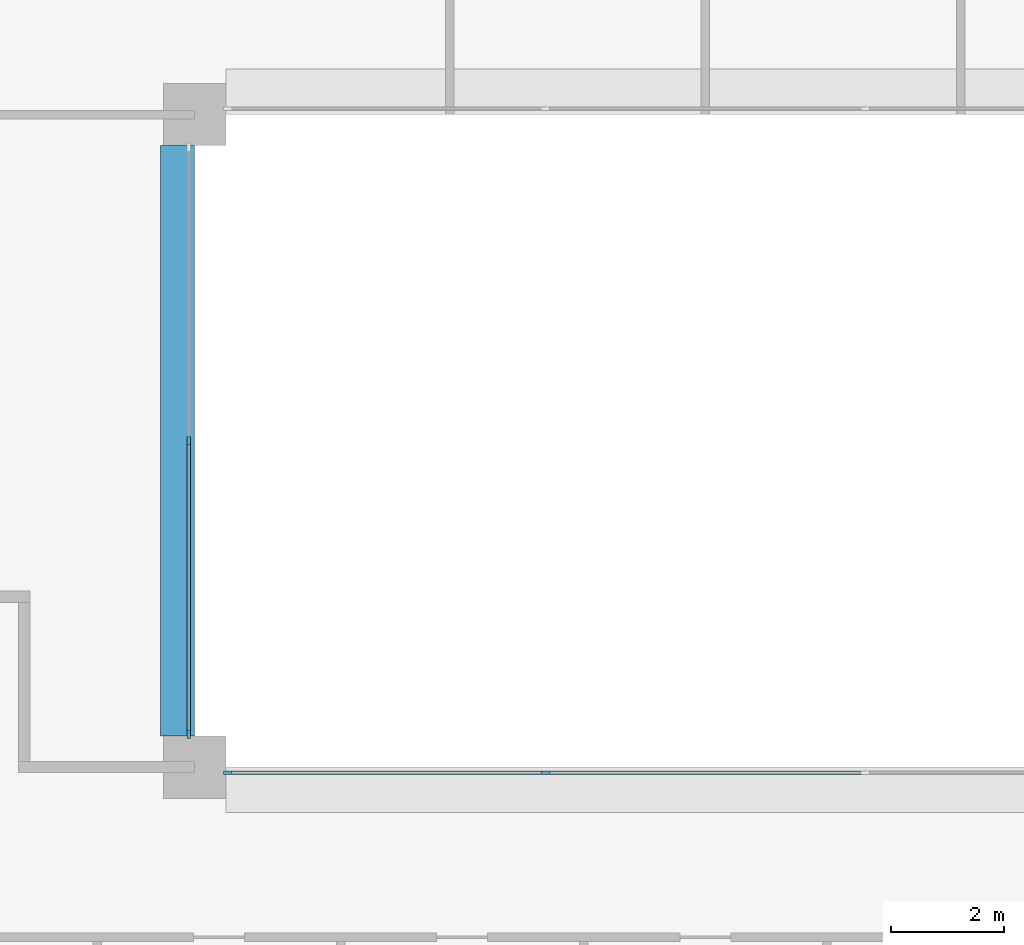
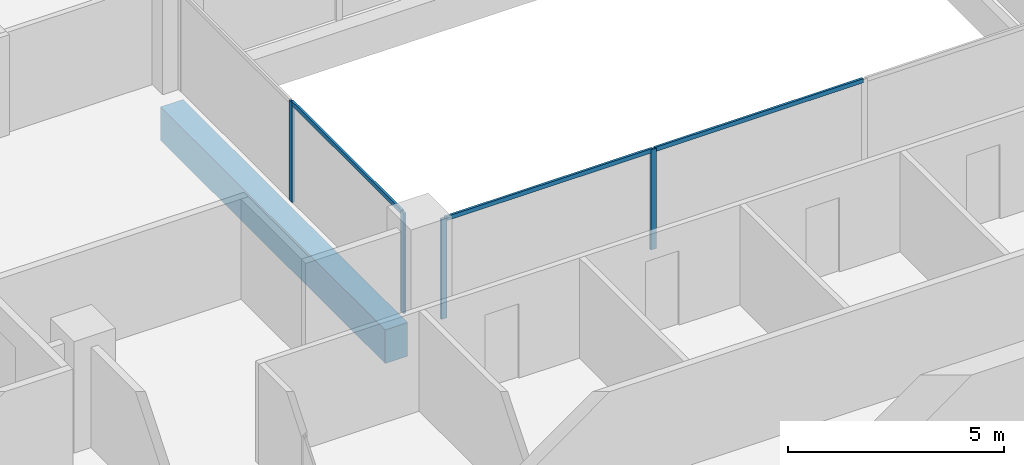
# One storey, part 2 of 15: 7 members, 1 beam, 2 elements without a shape of their own.
"""IFC4 building model written with IfcOpenShell, lengths in metres."""

import ifcopenshell
import ifcopenshell.guid

model = None  # the IFC model being written
_history = None  # IfcOwnerHistory: only IFC2X3 demands one
_inside = {}  # id of a spatial element -> (the spatial element, [elements in it])
_under = {}  # id of a project, library or spatial element -> (it, [spatial elements below it])
_declared = {}  # id of a project -> (the project, [libraries it declares])
_typed = {}  # id of a type object -> (the type object, [elements of that type])
_made_of = {}  # id of a material, layer set ... -> (it, [elements and type objects made of it])


def new_model(schema):
    """Start an empty IFC model of exactly this schema.

    Asked for "IFC4X3", IfcOpenShell would pick the latest addendum, in which some entities
    have other attributes; the version numbers below select the first issue.
    IFC2X3 requires an IfcOwnerHistory on every rooted entity: one is made here for all.
    """
    global model, _history
    if schema == "IFC4X3":
        model = ifcopenshell.file(schema_version=(4, 3, 0, 0))
    else:
        model = ifcopenshell.file(schema=schema)
    _inside.clear()
    _under.clear()
    _declared.clear()
    _typed.clear()
    _made_of.clear()
    _history = None
    if model.schema == "IFC2X3":
        org = make("IfcOrganization", Name="unknown")
        user = make(
            "IfcPersonAndOrganization",
            ThePerson=make("IfcPerson", FamilyName="unknown"),
            TheOrganization=org,
        )
        app = make(
            "IfcApplication",
            ApplicationDeveloper=org,
            Version="unknown",
            ApplicationFullName="unknown",
            ApplicationIdentifier="unknown",
        )
        _history = make(
            "IfcOwnerHistory",
            OwningUser=user,
            OwningApplication=app,
            ChangeAction="ADDED",
            CreationDate=0,
        )
    return model


def make(cls, **values):
    """One entity of the class cls with the attributes given. An attribute that is None is left unset."""
    return model.create_entity(
        cls, **{name: value for name, value in values.items() if value is not None}
    )


def rooted(cls, **values):
    """An entity with a GlobalId (a new one), such as an element, a storey or a relation."""
    return make(cls, GlobalId=ifcopenshell.guid.new(), OwnerHistory=_history, **values)


def si_unit(unit_type, name, prefix=None):
    """IfcSIUnit, for example si_unit("LENGTHUNIT", "METRE", prefix="MILLI")."""
    return make("IfcSIUnit", UnitType=unit_type, Prefix=prefix, Name=name)


def assignment(units):
    """IfcUnitAssignment: the units of a project."""
    return None if units is None else make("IfcUnitAssignment", Units=units)


def point(xyz):
    """IfcCartesianPoint."""
    return None if xyz is None else make("IfcCartesianPoint", Coordinates=xyz)


def direction(xyz):
    """IfcDirection."""
    return None if xyz is None else make("IfcDirection", DirectionRatios=xyz)


def frame(location, z_axis=None, x_axis=None):
    """IfcAxis2Placement3D, a coordinate frame: its origin and axes. An axis left out is left unset."""
    return make(
        "IfcAxis2Placement3D",
        Location=point(location),
        Axis=direction(z_axis),
        RefDirection=direction(x_axis),
    )


def frame_2d(location, x_axis=None):
    """IfcAxis2Placement2D, a coordinate frame in the plane: its origin and x axis."""
    return make(
        "IfcAxis2Placement2D", Location=point(location), RefDirection=direction(x_axis)
    )


def origin():
    """The frame at (0, 0, 0) with its axes left unset."""
    return frame((0.0, 0.0, 0.0))


def origin_2d():
    """The frame at (0, 0) in the plane with its x axis left unset."""
    return frame_2d((0.0, 0.0))


def place(relative_to, where):
    """IfcLocalPlacement: puts the frame where relative to a parent placement (None: the world)."""
    return make(
        "IfcLocalPlacement", PlacementRelTo=relative_to, RelativePlacement=where
    )


def context(
    kind, dimensions, precision=None, world=None, true_north=None, identifier=None
):
    """IfcGeometricRepresentationContext, for example the 3D "Model" context."""
    return make(
        "IfcGeometricRepresentationContext",
        ContextIdentifier=identifier,
        ContextType=kind,
        CoordinateSpaceDimension=dimensions,
        Precision=precision,
        WorldCoordinateSystem=world,
        TrueNorth=true_north,
    )


def subcontext(parent, identifier, kind, view, scale=None):
    """IfcGeometricRepresentationSubContext, for example "Body" below "Model"."""
    return make(
        "IfcGeometricRepresentationSubContext",
        ContextIdentifier=identifier,
        ContextType=kind,
        ParentContext=parent,
        TargetScale=scale,
        TargetView=view,
    )


def project(units=None, contexts=None):
    """IfcProject with its units and contexts."""
    return rooted(
        "IfcProject",
        Name="project",
        RepresentationContexts=contexts,
        UnitsInContext=assignment(units),
    )


def spatial(cls, under=None, at=None, **own):
    """A site, building, storey or space (cls), placed at a placement, below another one or the project."""
    s = rooted(cls, ObjectPlacement=at, **own)
    if under is not None:
        _under.setdefault(under.id(), (under, []))[1].append(s)
    return s


def profile(cls, at=None, kind="AREA", **sizes):
    """A parametric profile (cls). Its sizes go by their IFC names, for example OverallWidth=200.0."""
    return make(cls, ProfileType=kind, Position=at, **sizes)


def rectangle(**sizes):
    """IfcRectangleProfileDef."""
    return profile("IfcRectangleProfileDef", **sizes)


def extrude(swept, where, along, depth):
    """IfcExtrudedAreaSolid: the profile swept, set in the frame where, extruded along a direction by depth."""
    return make(
        "IfcExtrudedAreaSolid",
        SweptArea=swept,
        Position=where,
        ExtrudedDirection=direction(along),
        Depth=depth,
    )


def shape(context_of_items, identifier, shape_type, items):
    """IfcShapeRepresentation: the items that make up one representation, for example the "Body"."""
    return make(
        "IfcShapeRepresentation",
        ContextOfItems=context_of_items,
        RepresentationIdentifier=identifier,
        RepresentationType=shape_type,
        Items=items,
    )


def material(Name=None, Category=None):
    """IfcMaterial."""
    return make("IfcMaterial", Name=Name, Category=Category)


def layer(
    of_material, thickness, ventilated=None, Name=None, Category=None, Priority=None
):
    """IfcMaterialLayer: one layer of a wall or slab, of a material (None: an air gap)."""
    return make(
        "IfcMaterialLayer",
        Material=of_material,
        LayerThickness=thickness,
        IsVentilated=ventilated,
        Name=Name,
        Category=Category,
        Priority=Priority,
    )


def layer_set(layers, Name=None):
    """IfcMaterialLayerSet."""
    return make("IfcMaterialLayerSet", MaterialLayers=layers, LayerSetName=Name)


def material_profile(
    of_material, cross_section, Name=None, Category=None, Priority=None
):
    """IfcMaterialProfile: a cross section and its material."""
    return make(
        "IfcMaterialProfile",
        Name=Name,
        Material=of_material,
        Profile=cross_section,
        Priority=Priority,
        Category=Category,
    )


def profile_set(profiles, Name=None, composite=None):
    """IfcMaterialProfileSet."""
    return make(
        "IfcMaterialProfileSet",
        Name=Name,
        MaterialProfiles=profiles,
        CompositeProfile=composite,
    )


def made_of(thing, what):
    """Note that an element or type object is made of a material, layer set ...; save() writes the relation."""
    if what is not None:
        _made_of.setdefault(what.id(), (what, []))[1].append(thing)
    return thing


def type_object(cls, material=None, **own):
    """A type object (cls), such as IfcWallType, which elements share."""
    return made_of(rooted(cls, **own), material)


def element(
    cls,
    number,
    at=None,
    inside=None,
    cuts=None,
    type_object=None,
    material=None,
    context=None,
    identifier="Body",
    shape_type=None,
    held_by="IfcProductDefinitionShape",
    body=None,
    shapes=None,
    **own,
):
    """One element of the class cls, such as IfcWall. Its Tag is "e" and its number.

    at: its placement. inside: the storey or other place that contains it. cuts: it is an
    opening in that element (IfcRelVoidsElement). A single representation is given by context,
    identifier, shape_type and body (its items); several are given by shapes. held_by: the class
    of the entity that holds the representations. save() writes the other relations.
    """
    e = rooted(cls, Tag="e%d" % number, ObjectPlacement=at, **own)
    if body is not None:
        shapes = [shape(context, identifier, shape_type, body)]
    if shapes is not None:
        e.Representation = make(held_by, Representations=shapes)
    if inside is not None:
        _inside.setdefault(inside.id(), (inside, []))[1].append(e)
    if cuts is not None:
        rooted(
            "IfcRelVoidsElement", RelatingBuildingElement=cuts, RelatedOpeningElement=e
        )
    if type_object is not None:
        _typed.setdefault(type_object.id(), (type_object, []))[1].append(e)
    return made_of(e, material)


def aggregate(whole, parts):
    """IfcRelAggregates: a whole, such as a stair, and the parts it consists of."""
    return rooted("IfcRelAggregates", RelatingObject=whole, RelatedObjects=parts)


def save(model, path):
    """Write the relations noted so far, then the file.

    IfcRelAggregates (storeys below a building ...), IfcRelContainedInSpatialStructure (elements
    in a storey), IfcRelDefinesByType, IfcRelAssociatesMaterial and IfcRelDeclares: one each for
    every whole, place, type object, material and project.
    """
    for whole, parts in _under.values():
        aggregate(whole, parts)
    for where, things in _inside.values():
        rooted(
            "IfcRelContainedInSpatialStructure",
            RelatedElements=things,
            RelatingStructure=where,
        )
    for kind, things in _typed.values():
        rooted("IfcRelDefinesByType", RelatedObjects=things, RelatingType=kind)
    for what, things in _made_of.values():
        rooted("IfcRelAssociatesMaterial", RelatedObjects=things, RelatingMaterial=what)
    for by, libraries in _declared.values():
        rooted("IfcRelDeclares", RelatingContext=by, RelatedDefinitions=libraries)
    model.write(path)


model = new_model("IFC4")

# Units and contexts
model_context = context("Model", 3, precision=1e-05, world=origin(), true_north=direction((0.0, 1.0)))
body_context = subcontext(model_context, "Body", "Model", "MODEL_VIEW")
ifc_project = project(units=[si_unit("LENGTHUNIT", "METRE"), si_unit("AREAUNIT", "SQUARE_METRE"), si_unit("VOLUMEUNIT", "CUBIC_METRE"), si_unit("PLANEANGLEUNIT", "RADIAN"), si_unit("MASSUNIT", "GRAM", prefix="KILO")], contexts=[model_context])

# Site, building, storey
site_placement = place(None, origin())
site = spatial("IfcSite", under=ifc_project, at=site_placement, CompositionType="ELEMENT")
building_placement = place(site_placement, origin())
building = spatial("IfcBuilding", under=site, at=building_placement, Name="Brigalow Station Residences", CompositionType="ELEMENT")
storey_placement = place(building_placement, frame((0.0, 0.0, 175.949951171875)))
storey = spatial("IfcBuildingStorey", under=building, at=storey_placement, Name="L51", CompositionType="ELEMENT", Elevation=175.949951171875)

# Beam
ifc_material_1 = material(Name="Concrete C65", Category="concrete")
ifc_material_profile_1 = material_profile(ifc_material_1, rectangle(XDim=0.60009765625, YDim=0.949951171875, at=origin_2d()), Name="RC600x950")
ifc_profile_set_1 = profile_set([ifc_material_profile_1], Name="Concrete C65")
beam_type = type_object("IfcBeamType", Name="ATRIUM EDGE GIRDER 600x950 C65", PredefinedType="BEAM", material=ifc_profile_set_1)
beam_placement = place(storey_placement, frame((26.699951171875, 24.550048828125, -0.794921875), z_axis=(0.0, 1.0, 0.0), x_axis=(-1.0, 0.0, 0.0)))
element("IfcBeam", 1, at=beam_placement, inside=storey, type_object=beam_type, Name="ATRIUM EDGE GIRDER 3 L51", PredefinedType="BEAM", context=body_context, shape_type="SweptSolid", body=[
    extrude(rectangle(XDim=0.60009765625, YDim=0.949951171875, at=origin_2d()), origin(), (0.0, 0.0, 1.0), 10.39990234375),
])

# Curtain wall, members
ifc_material_2 = material(Name="Aluminium", Category="aluminium")
ifc_layer = layer(ifc_material_2, 0.14990234375)
ifc_layer_set = layer_set([ifc_layer], Name="ATRIUM FIRE-RATED GLAZING CURTAIN WALL")
curtain_wall_type = type_object("IfcCurtainWallType", Name="ATRIUM FIRE-RATED GLAZING CURTAIN WALL", PredefinedType="NOTDEFINED", material=ifc_layer_set)
curtain_wall_1_placement = place(storey_placement, origin())
curtain_wall_1 = element("IfcCurtainWall", 2, at=curtain_wall_1_placement, inside=storey, type_object=curtain_wall_type, Name="L51/cw/atrium-S", PredefinedType="NOTDEFINED")
ifc_material_3 = material(Name="Aluminium", Category="aluminium")
ifc_material_profile_2 = material_profile(ifc_material_3, rectangle(XDim=0.06005859375, YDim=0.14990234375, at=origin_2d()), Name="ATRIUM FIRE-RATED GLAZING MULLION 60x150")
ifc_profile_set_2 = profile_set([ifc_material_profile_2], Name="Aluminium")
member_type_1 = type_object("IfcMemberType", Name="ATRIUM FIRE-RATED GLAZING MULLION 60x150", PredefinedType="MULLION", material=ifc_profile_set_2)
member_1_placement = place(storey_placement, frame((27.580078125, 23.89990234375, 0.0), z_axis=(0.0, 0.0, 1.0), x_axis=(0.0, 1.0, 0.0)))
member_1 = element("IfcMember", 3, at=member_1_placement, type_object=member_type_1, Name="L51/cw/atrium-S/M00", PredefinedType="MULLION", context=body_context, shape_type="SweptSolid", body=[
    extrude(rectangle(XDim=0.06005859375, YDim=0.14990234375, at=origin_2d()), origin(), (0.0, 0.0, 1.0), 2.830078125),
])
member_2_placement = place(storey_placement, frame((33.183349609375, 23.89990234375, 0.0), z_axis=(0.0, 0.0, 1.0), x_axis=(0.0, 1.0, 0.0)))
member_2 = element("IfcMember", 4, at=member_2_placement, type_object=member_type_1, Name="L51/cw/atrium-S/M01", PredefinedType="MULLION", context=body_context, shape_type="SweptSolid", body=[
    extrude(rectangle(XDim=0.06005859375, YDim=0.14990234375, at=origin_2d()), origin(), (0.0, 0.0, 1.0), 2.830078125),
])

curtain_wall_2_placement = place(storey_placement, origin())
curtain_wall_2 = element("IfcCurtainWall", 5, at=curtain_wall_2_placement, inside=storey, type_object=curtain_wall_type, Name="L51/cw/atrium-W", PredefinedType="NOTDEFINED")
member_3_placement = place(storey_placement, frame((26.89990234375, 29.75, 0.0), z_axis=(0.0, 0.0, 1.0), x_axis=(1.0, 0.0, 0.0)))
member_3 = element("IfcMember", 6, at=member_3_placement, type_object=member_type_1, Name="L51/cw/atrium-W/M01", PredefinedType="MULLION", context=body_context, shape_type="SweptSolid", body=[
    extrude(rectangle(XDim=0.06005859375, YDim=0.14990234375, at=origin_2d()), origin(), (0.0, 0.0, 1.0), 2.830078125),
])
member_4_placement = place(storey_placement, frame((26.89990234375, 24.580078125, 0.0), z_axis=(0.0, 0.0, 1.0), x_axis=(1.0, 0.0, 0.0)))
member_4 = element("IfcMember", 7, at=member_4_placement, type_object=member_type_1, Name="L51/cw/atrium-W/M02", PredefinedType="MULLION", context=body_context, shape_type="SweptSolid", body=[
    extrude(rectangle(XDim=0.06005859375, YDim=0.14990234375, at=origin_2d()), origin(), (0.0, 0.0, 1.0), 2.830078125),
])

# Member
ifc_material_4 = material(Name="Aluminium", Category="aluminium")
ifc_material_profile_3 = material_profile(ifc_material_4, rectangle(XDim=0.06005859375, YDim=0.1201171875, at=origin_2d()), Name="ATRIUM FIRE-RATED GLAZING TRANSOM 60x120")
ifc_profile_set_3 = profile_set([ifc_material_profile_3], Name="Aluminium")
member_type_2 = type_object("IfcMemberType", Name="ATRIUM FIRE-RATED GLAZING TRANSOM 60x120", PredefinedType="USERDEFINED", material=ifc_profile_set_3)
member_5_placement = place(storey_placement, frame((27.610107421875, 23.89990234375, 2.800048828125), z_axis=(1.0, 0.0, 0.0), x_axis=(0.0, 1.0, 0.0)))
member_5 = element("IfcMember", 8, at=member_5_placement, type_object=member_type_2, Name="L51/cw/atrium-S/T00-00", ObjectType="TRANSOM", PredefinedType="USERDEFINED", context=body_context, shape_type="SweptSolid", body=[
    extrude(rectangle(XDim=0.06005859375, YDim=0.1201171875, at=origin_2d()), origin(), (0.0, 0.0, 1.0), 5.543212890625),
])

member_6_placement = place(storey_placement, frame((33.21337890625, 23.89990234375, 2.800048828125), z_axis=(1.0, 0.0, 0.0), x_axis=(0.0, 1.0, 0.0)))
member_6 = element("IfcMember", 9, at=member_6_placement, type_object=member_type_2, Name="L51/cw/atrium-S/T01-00", ObjectType="TRANSOM", PredefinedType="USERDEFINED", context=body_context, shape_type="SweptSolid", body=[
    extrude(rectangle(XDim=0.06005859375, YDim=0.1201171875, at=origin_2d()), origin(), (0.0, 0.0, 1.0), 5.5732421875),
])

aggregate(curtain_wall_1, [member_1, member_2, member_5, member_6])

member_7_placement = place(storey_placement, frame((26.89990234375, 29.719970703125, 2.800048828125), z_axis=(0.0, -1.0, 0.0), x_axis=(1.0, 0.0, 0.0)))
member_7 = element("IfcMember", 10, at=member_7_placement, type_object=member_type_2, Name="L51/cw/atrium-W/T01-00", ObjectType="TRANSOM", PredefinedType="USERDEFINED", context=body_context, shape_type="SweptSolid", body=[
    extrude(rectangle(XDim=0.06005859375, YDim=0.1201171875, at=origin_2d()), origin(), (0.0, 0.0, 1.0), 5.10986328125),
])

aggregate(curtain_wall_2, [member_3, member_4, member_7])

save(model, "model.ifc")
